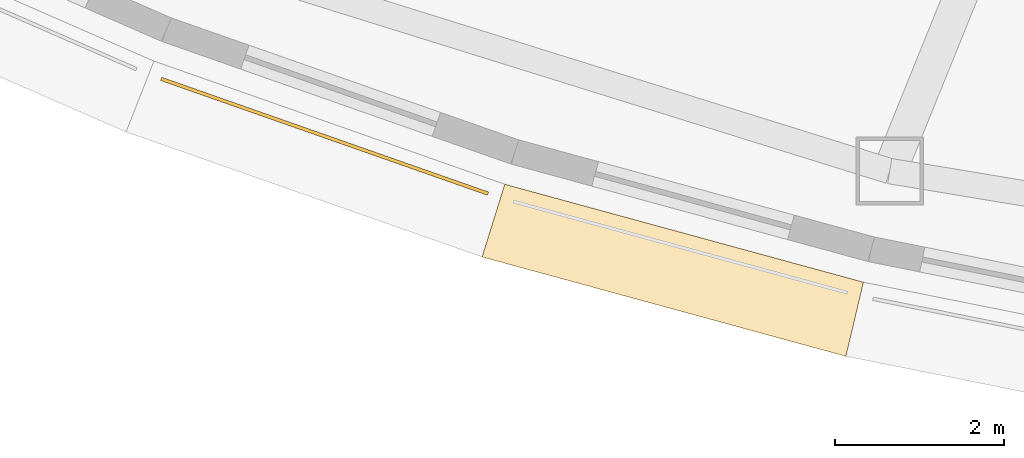
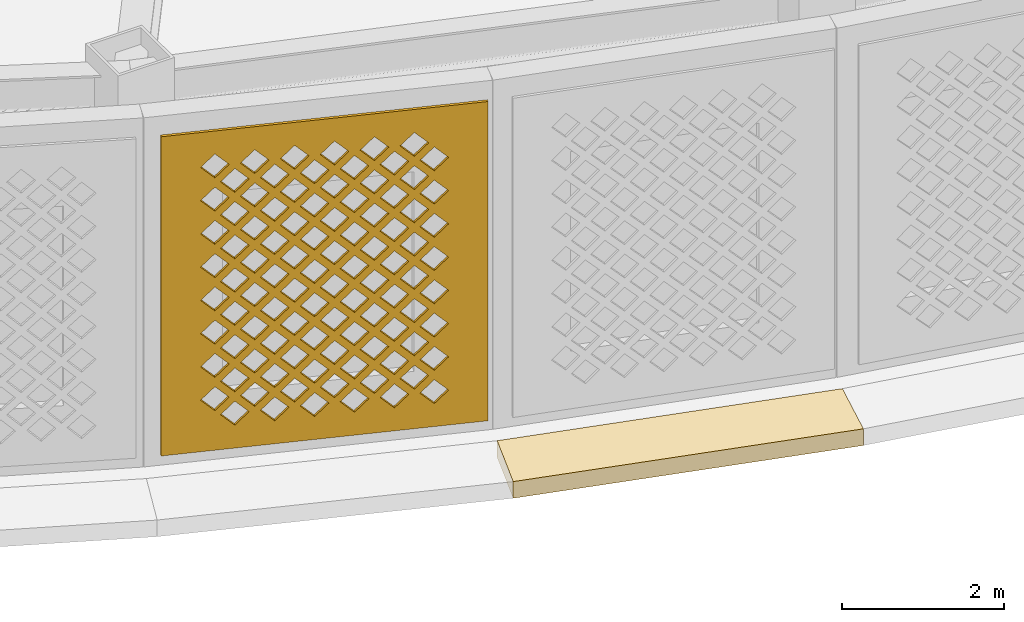
# One storey, part 47 of 69: 2 coverings.
"""IFC4 building model written with IfcOpenShell, lengths in metres."""

import ifcopenshell
import ifcopenshell.guid

model = None  # the IFC model being written
_history = None  # IfcOwnerHistory: only IFC2X3 demands one
_inside = {}  # id of a spatial element -> (the spatial element, [elements in it])
_under = {}  # id of a project, library or spatial element -> (it, [spatial elements below it])
_declared = {}  # id of a project -> (the project, [libraries it declares])
_typed = {}  # id of a type object -> (the type object, [elements of that type])
_made_of = {}  # id of a material, layer set ... -> (it, [elements and type objects made of it])


def new_model(schema):
    """Start an empty IFC model of exactly this schema.

    Asked for "IFC4X3", IfcOpenShell would pick the latest addendum, in which some entities
    have other attributes; the version numbers below select the first issue.
    IFC2X3 requires an IfcOwnerHistory on every rooted entity: one is made here for all.
    """
    global model, _history
    if schema == "IFC4X3":
        model = ifcopenshell.file(schema_version=(4, 3, 0, 0))
    else:
        model = ifcopenshell.file(schema=schema)
    _inside.clear()
    _under.clear()
    _declared.clear()
    _typed.clear()
    _made_of.clear()
    _history = None
    if model.schema == "IFC2X3":
        org = make("IfcOrganization", Name="unknown")
        user = make(
            "IfcPersonAndOrganization",
            ThePerson=make("IfcPerson", FamilyName="unknown"),
            TheOrganization=org,
        )
        app = make(
            "IfcApplication",
            ApplicationDeveloper=org,
            Version="unknown",
            ApplicationFullName="unknown",
            ApplicationIdentifier="unknown",
        )
        _history = make(
            "IfcOwnerHistory",
            OwningUser=user,
            OwningApplication=app,
            ChangeAction="ADDED",
            CreationDate=0,
        )
    return model


def make(cls, **values):
    """One entity of the class cls with the attributes given. An attribute that is None is left unset."""
    return model.create_entity(
        cls, **{name: value for name, value in values.items() if value is not None}
    )


def rooted(cls, **values):
    """An entity with a GlobalId (a new one), such as an element, a storey or a relation."""
    return make(cls, GlobalId=ifcopenshell.guid.new(), OwnerHistory=_history, **values)


def si_unit(unit_type, name, prefix=None):
    """IfcSIUnit, for example si_unit("LENGTHUNIT", "METRE", prefix="MILLI")."""
    return make("IfcSIUnit", UnitType=unit_type, Prefix=prefix, Name=name)


def assignment(units):
    """IfcUnitAssignment: the units of a project."""
    return None if units is None else make("IfcUnitAssignment", Units=units)


def point(xyz):
    """IfcCartesianPoint."""
    return None if xyz is None else make("IfcCartesianPoint", Coordinates=xyz)


def direction(xyz):
    """IfcDirection."""
    return None if xyz is None else make("IfcDirection", DirectionRatios=xyz)


def frame(location, z_axis=None, x_axis=None):
    """IfcAxis2Placement3D, a coordinate frame: its origin and axes. An axis left out is left unset."""
    return make(
        "IfcAxis2Placement3D",
        Location=point(location),
        Axis=direction(z_axis),
        RefDirection=direction(x_axis),
    )


def origin():
    """The frame at (0, 0, 0) with its axes left unset."""
    return frame((0.0, 0.0, 0.0))


def place(relative_to, where):
    """IfcLocalPlacement: puts the frame where relative to a parent placement (None: the world)."""
    return make(
        "IfcLocalPlacement", PlacementRelTo=relative_to, RelativePlacement=where
    )


def context(
    kind, dimensions, precision=None, world=None, true_north=None, identifier=None
):
    """IfcGeometricRepresentationContext, for example the 3D "Model" context."""
    return make(
        "IfcGeometricRepresentationContext",
        ContextIdentifier=identifier,
        ContextType=kind,
        CoordinateSpaceDimension=dimensions,
        Precision=precision,
        WorldCoordinateSystem=world,
        TrueNorth=true_north,
    )


def subcontext(parent, identifier, kind, view, scale=None):
    """IfcGeometricRepresentationSubContext, for example "Body" below "Model"."""
    return make(
        "IfcGeometricRepresentationSubContext",
        ContextIdentifier=identifier,
        ContextType=kind,
        ParentContext=parent,
        TargetScale=scale,
        TargetView=view,
    )


def project(units=None, contexts=None):
    """IfcProject with its units and contexts."""
    return rooted(
        "IfcProject",
        Name="project",
        RepresentationContexts=contexts,
        UnitsInContext=assignment(units),
    )


def spatial(cls, under=None, at=None, **own):
    """A site, building, storey or space (cls), placed at a placement, below another one or the project."""
    s = rooted(cls, ObjectPlacement=at, **own)
    if under is not None:
        _under.setdefault(under.id(), (under, []))[1].append(s)
    return s


def polyline(points):
    """IfcPolyline through the points."""
    return make("IfcPolyline", Points=[point(p) for p in points])


def outline(outer, holes=None, kind="AREA"):
    """IfcArbitraryClosedProfileDef: a profile drawn as a closed curve; with holes, ...WithVoids."""
    if holes is None:
        return make("IfcArbitraryClosedProfileDef", ProfileType=kind, OuterCurve=outer)
    return make(
        "IfcArbitraryProfileDefWithVoids",
        ProfileType=kind,
        OuterCurve=outer,
        InnerCurves=holes,
    )


def extrude(swept, where, along, depth):
    """IfcExtrudedAreaSolid: the profile swept, set in the frame where, extruded along a direction by depth."""
    return make(
        "IfcExtrudedAreaSolid",
        SweptArea=swept,
        Position=where,
        ExtrudedDirection=direction(along),
        Depth=depth,
    )


def shape(context_of_items, identifier, shape_type, items):
    """IfcShapeRepresentation: the items that make up one representation, for example the "Body"."""
    return make(
        "IfcShapeRepresentation",
        ContextOfItems=context_of_items,
        RepresentationIdentifier=identifier,
        RepresentationType=shape_type,
        Items=items,
    )


def material(Name=None, Category=None):
    """IfcMaterial."""
    return make("IfcMaterial", Name=Name, Category=Category)


def layer(
    of_material, thickness, ventilated=None, Name=None, Category=None, Priority=None
):
    """IfcMaterialLayer: one layer of a wall or slab, of a material (None: an air gap)."""
    return make(
        "IfcMaterialLayer",
        Material=of_material,
        LayerThickness=thickness,
        IsVentilated=ventilated,
        Name=Name,
        Category=Category,
        Priority=Priority,
    )


def layer_set(layers, Name=None):
    """IfcMaterialLayerSet."""
    return make("IfcMaterialLayerSet", MaterialLayers=layers, LayerSetName=Name)


def made_of(thing, what):
    """Note that an element or type object is made of a material, layer set ...; save() writes the relation."""
    if what is not None:
        _made_of.setdefault(what.id(), (what, []))[1].append(thing)
    return thing


def type_object(cls, material=None, **own):
    """A type object (cls), such as IfcWallType, which elements share."""
    return made_of(rooted(cls, **own), material)


def element(
    cls,
    number,
    at=None,
    inside=None,
    cuts=None,
    type_object=None,
    material=None,
    context=None,
    identifier="Body",
    shape_type=None,
    held_by="IfcProductDefinitionShape",
    body=None,
    shapes=None,
    **own,
):
    """One element of the class cls, such as IfcWall. Its Tag is "e" and its number.

    at: its placement. inside: the storey or other place that contains it. cuts: it is an
    opening in that element (IfcRelVoidsElement). A single representation is given by context,
    identifier, shape_type and body (its items); several are given by shapes. held_by: the class
    of the entity that holds the representations. save() writes the other relations.
    """
    e = rooted(cls, Tag="e%d" % number, ObjectPlacement=at, **own)
    if body is not None:
        shapes = [shape(context, identifier, shape_type, body)]
    if shapes is not None:
        e.Representation = make(held_by, Representations=shapes)
    if inside is not None:
        _inside.setdefault(inside.id(), (inside, []))[1].append(e)
    if cuts is not None:
        rooted(
            "IfcRelVoidsElement", RelatingBuildingElement=cuts, RelatedOpeningElement=e
        )
    if type_object is not None:
        _typed.setdefault(type_object.id(), (type_object, []))[1].append(e)
    return made_of(e, material)


def aggregate(whole, parts):
    """IfcRelAggregates: a whole, such as a stair, and the parts it consists of."""
    return rooted("IfcRelAggregates", RelatingObject=whole, RelatedObjects=parts)


def save(model, path):
    """Write the relations noted so far, then the file.

    IfcRelAggregates (storeys below a building ...), IfcRelContainedInSpatialStructure (elements
    in a storey), IfcRelDefinesByType, IfcRelAssociatesMaterial and IfcRelDeclares: one each for
    every whole, place, type object, material and project.
    """
    for whole, parts in _under.values():
        aggregate(whole, parts)
    for where, things in _inside.values():
        rooted(
            "IfcRelContainedInSpatialStructure",
            RelatedElements=things,
            RelatingStructure=where,
        )
    for kind, things in _typed.values():
        rooted("IfcRelDefinesByType", RelatedObjects=things, RelatingType=kind)
    for what, things in _made_of.values():
        rooted("IfcRelAssociatesMaterial", RelatedObjects=things, RelatingMaterial=what)
    for by, libraries in _declared.values():
        rooted("IfcRelDeclares", RelatingContext=by, RelatedDefinitions=libraries)
    model.write(path)


model = new_model("IFC4")

# Units and contexts
model_context = context("Model", 3, precision=1e-05, world=origin(), true_north=direction((0.0, 1.0)))
body_context = subcontext(model_context, "Body", "Model", "MODEL_VIEW")
ifc_project = project(units=[si_unit("LENGTHUNIT", "METRE"), si_unit("AREAUNIT", "SQUARE_METRE"), si_unit("VOLUMEUNIT", "CUBIC_METRE"), si_unit("PLANEANGLEUNIT", "RADIAN"), si_unit("MASSUNIT", "GRAM", prefix="KILO")], contexts=[model_context])

# Site, building, storey
site_placement = place(None, origin())
site = spatial("IfcSite", under=ifc_project, at=site_placement, CompositionType="ELEMENT")
building_placement = place(site_placement, origin())
building = spatial("IfcBuilding", under=site, at=building_placement, Name="Noorbagh Ring Tower", CompositionType="ELEMENT")
storey_placement = place(building_placement, frame((0.0, 0.0, 19.5)))
storey = spatial("IfcBuildingStorey", under=building, at=storey_placement, Name="L03", CompositionType="ELEMENT", Elevation=19.5)

# Coverings
ifc_material_1 = material(Name="Red sandstone eave", Category="masonry")
covering_type_1 = type_object("IfcCoveringType", Name="STY-CHHAJJA", PredefinedType="USERDEFINED", material=ifc_material_1)
covering_1_placement = place(storey_placement, frame((0.0, 0.0, -0.25)))
element("IfcCovering", 1, at=covering_1_placement, inside=storey, type_object=covering_type_1, Name="Chhajja eave", ObjectType="CHHAJJA", PredefinedType="USERDEFINED", context=body_context, shape_type="SweptSolid", body=[
    extrude(outline(polyline([(-19.49853515625, -37.081298828125), (-15.2568359375, -38.239501953125), (-15.464111328125, -39.115966796875), (-19.7666015625, -37.941162109375), (-19.49853515625, -37.081298828125)])), origin(), (0.0, 0.0, 1.0), 0.25),
])
ifc_material_2 = material(Name="Red sandstone jali", Category="masonry")
ifc_layer = layer(ifc_material_2, 0.0400390625)
ifc_layer_set = layer_set([ifc_layer], Name="Red sandstone jali")
covering_type_2 = type_object("IfcCoveringType", Name="STY-JALI", PredefinedType="USERDEFINED", material=ifc_layer_set)
covering_2_placement = place(storey_placement, frame((-23.568603515625, -35.853759765625, 0.449951171875), z_axis=(-0.331258049676, -0.94354019762, 0.0), x_axis=(0.94354019762, -0.331258049676, 0.0)))
element("IfcCovering", 2, at=covering_2_placement, inside=storey, type_object=covering_type_2, Name="Jali screen", ObjectType="SCREEN", PredefinedType="USERDEFINED", context=body_context, shape_type="SweptSolid", body=[
    extrude(outline(polyline([(0.0, 0.0), (4.096923828125, 0.0), (4.096923828125, 4.800048828125), (0.0, 4.800048828125), (0.0, 0.0)]), holes=[polyline([(0.743408203125, 0.52490234375), (0.92333984375, 0.344970703125), (1.103515625, 0.52490234375), (0.92333984375, 0.705078125), (0.743408203125, 0.52490234375)]), polyline([(1.243408203125, 0.52490234375), (1.42333984375, 0.344970703125), (1.603515625, 0.52490234375), (1.42333984375, 0.705078125), (1.243408203125, 0.52490234375)]), polyline([(1.743408203125, 0.52490234375), (1.92333984375, 0.344970703125), (2.103515625, 0.52490234375), (1.92333984375, 0.705078125), (1.743408203125, 0.52490234375)]), polyline([(2.243408203125, 0.52490234375), (2.42333984375, 0.344970703125), (2.603515625, 0.52490234375), (2.42333984375, 0.705078125), (2.243408203125, 0.52490234375)]), polyline([(2.743408203125, 0.52490234375), (2.92333984375, 0.344970703125), (3.103515625, 0.52490234375), (2.92333984375, 0.705078125), (2.743408203125, 0.52490234375)]), polyline([(3.243408203125, 0.52490234375), (3.42333984375, 0.344970703125), (3.603515625, 0.52490234375), (3.42333984375, 0.705078125), (3.243408203125, 0.52490234375)]), polyline([(0.493408203125, 0.77490234375), (0.67333984375, 0.594970703125), (0.853515625, 0.77490234375), (0.67333984375, 0.955078125), (0.493408203125, 0.77490234375)]), polyline([(0.993408203125, 0.77490234375), (1.17333984375, 0.594970703125), (1.353515625, 0.77490234375), (1.17333984375, 0.955078125), (0.993408203125, 0.77490234375)]), polyline([(1.493408203125, 0.77490234375), (1.67333984375, 0.594970703125), (1.853515625, 0.77490234375), (1.67333984375, 0.955078125), (1.493408203125, 0.77490234375)]), polyline([(1.993408203125, 0.77490234375), (2.17333984375, 0.594970703125), (2.353515625, 0.77490234375), (2.17333984375, 0.955078125), (1.993408203125, 0.77490234375)]), polyline([(2.493408203125, 0.77490234375), (2.67333984375, 0.594970703125), (2.853515625, 0.77490234375), (2.67333984375, 0.955078125), (2.493408203125, 0.77490234375)]), polyline([(2.993408203125, 0.77490234375), (3.17333984375, 0.594970703125), (3.353515625, 0.77490234375), (3.17333984375, 0.955078125), (2.993408203125, 0.77490234375)]), polyline([(0.743408203125, 1.02490234375), (0.92333984375, 0.844970703125), (1.103515625, 1.02490234375), (0.92333984375, 1.205078125), (0.743408203125, 1.02490234375)]), polyline([(1.243408203125, 1.02490234375), (1.42333984375, 0.844970703125), (1.603515625, 1.02490234375), (1.42333984375, 1.205078125), (1.243408203125, 1.02490234375)]), polyline([(1.743408203125, 1.02490234375), (1.92333984375, 0.844970703125), (2.103515625, 1.02490234375), (1.92333984375, 1.205078125), (1.743408203125, 1.02490234375)]), polyline([(2.243408203125, 1.02490234375), (2.42333984375, 0.844970703125), (2.603515625, 1.02490234375), (2.42333984375, 1.205078125), (2.243408203125, 1.02490234375)]), polyline([(2.743408203125, 1.02490234375), (2.92333984375, 0.844970703125), (3.103515625, 1.02490234375), (2.92333984375, 1.205078125), (2.743408203125, 1.02490234375)]), polyline([(3.243408203125, 1.02490234375), (3.42333984375, 0.844970703125), (3.603515625, 1.02490234375), (3.42333984375, 1.205078125), (3.243408203125, 1.02490234375)]), polyline([(0.493408203125, 1.27490234375), (0.67333984375, 1.094970703125), (0.853515625, 1.27490234375), (0.67333984375, 1.455078125), (0.493408203125, 1.27490234375)]), polyline([(0.993408203125, 1.27490234375), (1.17333984375, 1.094970703125), (1.353515625, 1.27490234375), (1.17333984375, 1.455078125), (0.993408203125, 1.27490234375)]), polyline([(1.493408203125, 1.27490234375), (1.67333984375, 1.094970703125), (1.853515625, 1.27490234375), (1.67333984375, 1.455078125), (1.493408203125, 1.27490234375)]), polyline([(1.993408203125, 1.27490234375), (2.17333984375, 1.094970703125), (2.353515625, 1.27490234375), (2.17333984375, 1.455078125), (1.993408203125, 1.27490234375)]), polyline([(2.493408203125, 1.27490234375), (2.67333984375, 1.094970703125), (2.853515625, 1.27490234375), (2.67333984375, 1.455078125), (2.493408203125, 1.27490234375)]), polyline([(2.993408203125, 1.27490234375), (3.17333984375, 1.094970703125), (3.353515625, 1.27490234375), (3.17333984375, 1.455078125), (2.993408203125, 1.27490234375)]), polyline([(0.743408203125, 1.52490234375), (0.92333984375, 1.344970703125), (1.103515625, 1.52490234375), (0.92333984375, 1.705078125), (0.743408203125, 1.52490234375)]), polyline([(1.243408203125, 1.52490234375), (1.42333984375, 1.344970703125), (1.603515625, 1.52490234375), (1.42333984375, 1.705078125), (1.243408203125, 1.52490234375)]), polyline([(1.743408203125, 1.52490234375), (1.92333984375, 1.344970703125), (2.103515625, 1.52490234375), (1.92333984375, 1.705078125), (1.743408203125, 1.52490234375)]), polyline([(2.243408203125, 1.52490234375), (2.42333984375, 1.344970703125), (2.603515625, 1.52490234375), (2.42333984375, 1.705078125), (2.243408203125, 1.52490234375)]), polyline([(2.743408203125, 1.52490234375), (2.92333984375, 1.344970703125), (3.103515625, 1.52490234375), (2.92333984375, 1.705078125), (2.743408203125, 1.52490234375)]), polyline([(3.243408203125, 1.52490234375), (3.42333984375, 1.344970703125), (3.603515625, 1.52490234375), (3.42333984375, 1.705078125), (3.243408203125, 1.52490234375)]), polyline([(0.493408203125, 1.77490234375), (0.67333984375, 1.594970703125), (0.853515625, 1.77490234375), (0.67333984375, 1.955078125), (0.493408203125, 1.77490234375)]), polyline([(0.993408203125, 1.77490234375), (1.17333984375, 1.594970703125), (1.353515625, 1.77490234375), (1.17333984375, 1.955078125), (0.993408203125, 1.77490234375)]), polyline([(1.493408203125, 1.77490234375), (1.67333984375, 1.594970703125), (1.853515625, 1.77490234375), (1.67333984375, 1.955078125), (1.493408203125, 1.77490234375)]), polyline([(1.993408203125, 1.77490234375), (2.17333984375, 1.594970703125), (2.353515625, 1.77490234375), (2.17333984375, 1.955078125), (1.993408203125, 1.77490234375)]), polyline([(2.493408203125, 1.77490234375), (2.67333984375, 1.594970703125), (2.853515625, 1.77490234375), (2.67333984375, 1.955078125), (2.493408203125, 1.77490234375)]), polyline([(2.993408203125, 1.77490234375), (3.17333984375, 1.594970703125), (3.353515625, 1.77490234375), (3.17333984375, 1.955078125), (2.993408203125, 1.77490234375)]), polyline([(0.743408203125, 2.02490234375), (0.92333984375, 1.844970703125), (1.103515625, 2.02490234375), (0.92333984375, 2.205078125), (0.743408203125, 2.02490234375)]), polyline([(1.243408203125, 2.02490234375), (1.42333984375, 1.844970703125), (1.603515625, 2.02490234375), (1.42333984375, 2.205078125), (1.243408203125, 2.02490234375)]), polyline([(1.743408203125, 2.02490234375), (1.92333984375, 1.844970703125), (2.103515625, 2.02490234375), (1.92333984375, 2.205078125), (1.743408203125, 2.02490234375)]), polyline([(2.243408203125, 2.02490234375), (2.42333984375, 1.844970703125), (2.603515625, 2.02490234375), (2.42333984375, 2.205078125), (2.243408203125, 2.02490234375)]), polyline([(2.743408203125, 2.02490234375), (2.92333984375, 1.844970703125), (3.103515625, 2.02490234375), (2.92333984375, 2.205078125), (2.743408203125, 2.02490234375)]), polyline([(3.243408203125, 2.02490234375), (3.42333984375, 1.844970703125), (3.603515625, 2.02490234375), (3.42333984375, 2.205078125), (3.243408203125, 2.02490234375)]), polyline([(0.493408203125, 2.27490234375), (0.67333984375, 2.094970703125), (0.853515625, 2.27490234375), (0.67333984375, 2.455078125), (0.493408203125, 2.27490234375)]), polyline([(0.993408203125, 2.27490234375), (1.17333984375, 2.094970703125), (1.353515625, 2.27490234375), (1.17333984375, 2.455078125), (0.993408203125, 2.27490234375)]), polyline([(1.493408203125, 2.27490234375), (1.67333984375, 2.094970703125), (1.853515625, 2.27490234375), (1.67333984375, 2.455078125), (1.493408203125, 2.27490234375)]), polyline([(1.993408203125, 2.27490234375), (2.17333984375, 2.094970703125), (2.353515625, 2.27490234375), (2.17333984375, 2.455078125), (1.993408203125, 2.27490234375)]), polyline([(2.493408203125, 2.27490234375), (2.67333984375, 2.094970703125), (2.853515625, 2.27490234375), (2.67333984375, 2.455078125), (2.493408203125, 2.27490234375)]), polyline([(2.993408203125, 2.27490234375), (3.17333984375, 2.094970703125), (3.353515625, 2.27490234375), (3.17333984375, 2.455078125), (2.993408203125, 2.27490234375)]), polyline([(0.743408203125, 2.52490234375), (0.92333984375, 2.344970703125), (1.103515625, 2.52490234375), (0.92333984375, 2.705078125), (0.743408203125, 2.52490234375)]), polyline([(1.243408203125, 2.52490234375), (1.42333984375, 2.344970703125), (1.603515625, 2.52490234375), (1.42333984375, 2.705078125), (1.243408203125, 2.52490234375)]), polyline([(1.743408203125, 2.52490234375), (1.92333984375, 2.344970703125), (2.103515625, 2.52490234375), (1.92333984375, 2.705078125), (1.743408203125, 2.52490234375)]), polyline([(2.243408203125, 2.52490234375), (2.42333984375, 2.344970703125), (2.603515625, 2.52490234375), (2.42333984375, 2.705078125), (2.243408203125, 2.52490234375)]), polyline([(2.743408203125, 2.52490234375), (2.92333984375, 2.344970703125), (3.103515625, 2.52490234375), (2.92333984375, 2.705078125), (2.743408203125, 2.52490234375)]), polyline([(3.243408203125, 2.52490234375), (3.42333984375, 2.344970703125), (3.603515625, 2.52490234375), (3.42333984375, 2.705078125), (3.243408203125, 2.52490234375)]), polyline([(0.493408203125, 2.77490234375), (0.67333984375, 2.594970703125), (0.853515625, 2.77490234375), (0.67333984375, 2.955078125), (0.493408203125, 2.77490234375)]), polyline([(0.993408203125, 2.77490234375), (1.17333984375, 2.594970703125), (1.353515625, 2.77490234375), (1.17333984375, 2.955078125), (0.993408203125, 2.77490234375)]), polyline([(1.493408203125, 2.77490234375), (1.67333984375, 2.594970703125), (1.853515625, 2.77490234375), (1.67333984375, 2.955078125), (1.493408203125, 2.77490234375)]), polyline([(1.993408203125, 2.77490234375), (2.17333984375, 2.594970703125), (2.353515625, 2.77490234375), (2.17333984375, 2.955078125), (1.993408203125, 2.77490234375)]), polyline([(2.493408203125, 2.77490234375), (2.67333984375, 2.594970703125), (2.853515625, 2.77490234375), (2.67333984375, 2.955078125), (2.493408203125, 2.77490234375)]), polyline([(2.993408203125, 2.77490234375), (3.17333984375, 2.594970703125), (3.353515625, 2.77490234375), (3.17333984375, 2.955078125), (2.993408203125, 2.77490234375)]), polyline([(0.743408203125, 3.02490234375), (0.92333984375, 2.844970703125), (1.103515625, 3.02490234375), (0.92333984375, 3.205078125), (0.743408203125, 3.02490234375)]), polyline([(1.243408203125, 3.02490234375), (1.42333984375, 2.844970703125), (1.603515625, 3.02490234375), (1.42333984375, 3.205078125), (1.243408203125, 3.02490234375)]), polyline([(1.743408203125, 3.02490234375), (1.92333984375, 2.844970703125), (2.103515625, 3.02490234375), (1.92333984375, 3.205078125), (1.743408203125, 3.02490234375)]), polyline([(2.243408203125, 3.02490234375), (2.42333984375, 2.844970703125), (2.603515625, 3.02490234375), (2.42333984375, 3.205078125), (2.243408203125, 3.02490234375)]), polyline([(2.743408203125, 3.02490234375), (2.92333984375, 2.844970703125), (3.103515625, 3.02490234375), (2.92333984375, 3.205078125), (2.743408203125, 3.02490234375)]), polyline([(3.243408203125, 3.02490234375), (3.42333984375, 2.844970703125), (3.603515625, 3.02490234375), (3.42333984375, 3.205078125), (3.243408203125, 3.02490234375)]), polyline([(0.493408203125, 3.27490234375), (0.67333984375, 3.094970703125), (0.853515625, 3.27490234375), (0.67333984375, 3.455078125), (0.493408203125, 3.27490234375)]), polyline([(0.993408203125, 3.27490234375), (1.17333984375, 3.094970703125), (1.353515625, 3.27490234375), (1.17333984375, 3.455078125), (0.993408203125, 3.27490234375)]), polyline([(1.493408203125, 3.27490234375), (1.67333984375, 3.094970703125), (1.853515625, 3.27490234375), (1.67333984375, 3.455078125), (1.493408203125, 3.27490234375)]), polyline([(1.993408203125, 3.27490234375), (2.17333984375, 3.094970703125), (2.353515625, 3.27490234375), (2.17333984375, 3.455078125), (1.993408203125, 3.27490234375)]), polyline([(2.493408203125, 3.27490234375), (2.67333984375, 3.094970703125), (2.853515625, 3.27490234375), (2.67333984375, 3.455078125), (2.493408203125, 3.27490234375)]), polyline([(2.993408203125, 3.27490234375), (3.17333984375, 3.094970703125), (3.353515625, 3.27490234375), (3.17333984375, 3.455078125), (2.993408203125, 3.27490234375)]), polyline([(0.743408203125, 3.52490234375), (0.92333984375, 3.344970703125), (1.103515625, 3.52490234375), (0.92333984375, 3.705078125), (0.743408203125, 3.52490234375)]), polyline([(1.243408203125, 3.52490234375), (1.42333984375, 3.344970703125), (1.603515625, 3.52490234375), (1.42333984375, 3.705078125), (1.243408203125, 3.52490234375)]), polyline([(1.743408203125, 3.52490234375), (1.92333984375, 3.344970703125), (2.103515625, 3.52490234375), (1.92333984375, 3.705078125), (1.743408203125, 3.52490234375)]), polyline([(2.243408203125, 3.52490234375), (2.42333984375, 3.344970703125), (2.603515625, 3.52490234375), (2.42333984375, 3.705078125), (2.243408203125, 3.52490234375)]), polyline([(2.743408203125, 3.52490234375), (2.92333984375, 3.344970703125), (3.103515625, 3.52490234375), (2.92333984375, 3.705078125), (2.743408203125, 3.52490234375)]), polyline([(3.243408203125, 3.52490234375), (3.42333984375, 3.344970703125), (3.603515625, 3.52490234375), (3.42333984375, 3.705078125), (3.243408203125, 3.52490234375)]), polyline([(0.493408203125, 3.77490234375), (0.67333984375, 3.594970703125), (0.853515625, 3.77490234375), (0.67333984375, 3.955078125), (0.493408203125, 3.77490234375)]), polyline([(0.993408203125, 3.77490234375), (1.17333984375, 3.594970703125), (1.353515625, 3.77490234375), (1.17333984375, 3.955078125), (0.993408203125, 3.77490234375)]), polyline([(1.493408203125, 3.77490234375), (1.67333984375, 3.594970703125), (1.853515625, 3.77490234375), (1.67333984375, 3.955078125), (1.493408203125, 3.77490234375)]), polyline([(1.993408203125, 3.77490234375), (2.17333984375, 3.594970703125), (2.353515625, 3.77490234375), (2.17333984375, 3.955078125), (1.993408203125, 3.77490234375)]), polyline([(2.493408203125, 3.77490234375), (2.67333984375, 3.594970703125), (2.853515625, 3.77490234375), (2.67333984375, 3.955078125), (2.493408203125, 3.77490234375)]), polyline([(2.993408203125, 3.77490234375), (3.17333984375, 3.594970703125), (3.353515625, 3.77490234375), (3.17333984375, 3.955078125), (2.993408203125, 3.77490234375)]), polyline([(0.743408203125, 4.02490234375), (0.92333984375, 3.844970703125), (1.103515625, 4.02490234375), (0.92333984375, 4.205078125), (0.743408203125, 4.02490234375)]), polyline([(1.243408203125, 4.02490234375), (1.42333984375, 3.844970703125), (1.603515625, 4.02490234375), (1.42333984375, 4.205078125), (1.243408203125, 4.02490234375)]), polyline([(1.743408203125, 4.02490234375), (1.92333984375, 3.844970703125), (2.103515625, 4.02490234375), (1.92333984375, 4.205078125), (1.743408203125, 4.02490234375)]), polyline([(2.243408203125, 4.02490234375), (2.42333984375, 3.844970703125), (2.603515625, 4.02490234375), (2.42333984375, 4.205078125), (2.243408203125, 4.02490234375)]), polyline([(2.743408203125, 4.02490234375), (2.92333984375, 3.844970703125), (3.103515625, 4.02490234375), (2.92333984375, 4.205078125), (2.743408203125, 4.02490234375)]), polyline([(3.243408203125, 4.02490234375), (3.42333984375, 3.844970703125), (3.603515625, 4.02490234375), (3.42333984375, 4.205078125), (3.243408203125, 4.02490234375)]), polyline([(0.493408203125, 4.27490234375), (0.67333984375, 4.094970703125), (0.853515625, 4.27490234375), (0.67333984375, 4.455078125), (0.493408203125, 4.27490234375)]), polyline([(0.993408203125, 4.27490234375), (1.17333984375, 4.094970703125), (1.353515625, 4.27490234375), (1.17333984375, 4.455078125), (0.993408203125, 4.27490234375)]), polyline([(1.493408203125, 4.27490234375), (1.67333984375, 4.094970703125), (1.853515625, 4.27490234375), (1.67333984375, 4.455078125), (1.493408203125, 4.27490234375)]), polyline([(1.993408203125, 4.27490234375), (2.17333984375, 4.094970703125), (2.353515625, 4.27490234375), (2.17333984375, 4.455078125), (1.993408203125, 4.27490234375)]), polyline([(2.493408203125, 4.27490234375), (2.67333984375, 4.094970703125), (2.853515625, 4.27490234375), (2.67333984375, 4.455078125), (2.493408203125, 4.27490234375)]), polyline([(2.993408203125, 4.27490234375), (3.17333984375, 4.094970703125), (3.353515625, 4.27490234375), (3.17333984375, 4.455078125), (2.993408203125, 4.27490234375)])]), origin(), (0.0, 0.0, -1.0), 0.0400390625),
])

save(model, "model.ifc")
